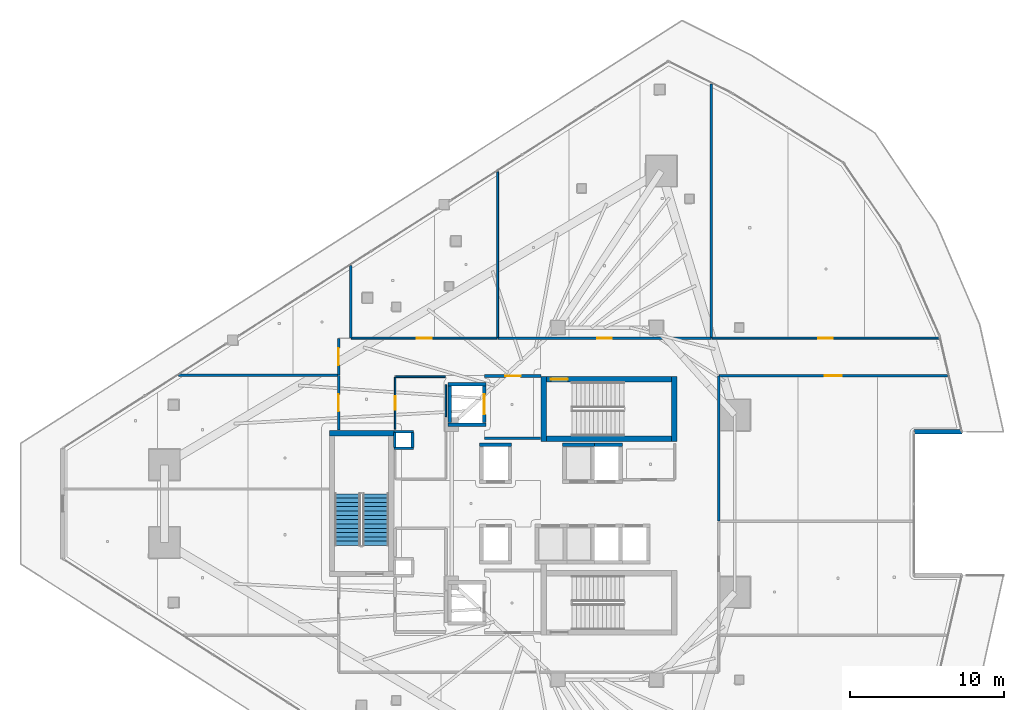
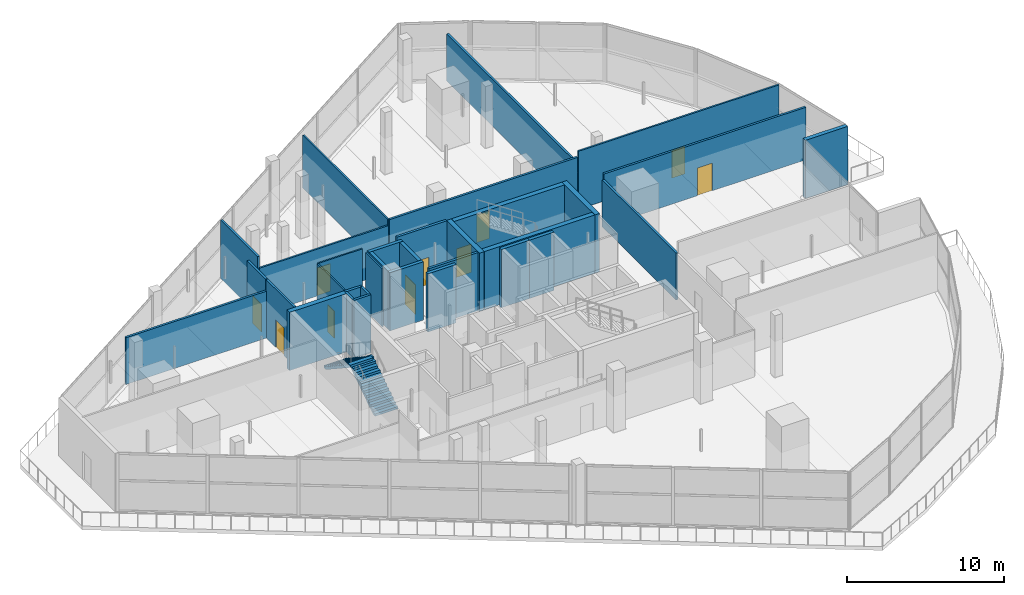
# One storey, part 25 of 36: 33 walls, 10 doors, 2 stair flights, 10 openings, 1 element without a shape of its own.
"""IFC4 building model written with IfcOpenShell, lengths in metres."""

from ifc_helpers import new_model, si_unit, direction, frame, frame_2d, origin, place, context, subcontext, project, spatial, polyline, rectangle, outline, extrude, material, layer, layer_set, type_object, element, fill, aggregate, save


model = new_model("IFC4")

# Units and contexts
model_context = context("Model", 3, precision=1e-05, world=origin(), true_north=direction((0.0, 1.0)))
body_context = subcontext(model_context, "Body", "Model", "MODEL_VIEW")
ifc_project = project(units=[si_unit("LENGTHUNIT", "METRE"), si_unit("AREAUNIT", "SQUARE_METRE"), si_unit("VOLUMEUNIT", "CUBIC_METRE"), si_unit("PLANEANGLEUNIT", "RADIAN"), si_unit("MASSUNIT", "GRAM", prefix="KILO")], contexts=[model_context])

# Site, building, storey
site_placement = place(None, origin())
site = spatial("IfcSite", under=ifc_project, at=site_placement, CompositionType="ELEMENT")
building_placement = place(site_placement, origin())
building = spatial("IfcBuilding", under=site, at=building_placement, Name="Qorvath Tower", CompositionType="ELEMENT")
storey_placement = place(building_placement, frame((0.0, 0.0, 180.0)))
storey = spatial("IfcBuildingStorey", under=building, at=storey_placement, Name="L41", CompositionType="ELEMENT", Elevation=180.0)

# Walls
ifc_material_1 = material(Name="Gypsum shaftliner on steel studs", Category="steel")
ifc_layer_1 = layer(ifc_material_1, 0.179931640625)
ifc_layer_set_1 = layer_set([ifc_layer_1], Name="FW-LOBBY")
wall_type_1 = type_object("IfcWallType", Name="FW-LOBBY", PredefinedType="PARTITIONING", material=ifc_layer_set_1)
for number, where, z_axis, x_axis, name in (
    (1, (-32.989990234375, 3.594970703125, 0.0), (0.0, 0.0, 1.0), (-1.0, 0.0, 0.0), "MEP Riser Shaft Enclosure Wall N-L41-S"),
    (2, (-34.260009765625, 4.675048828125, 0.0), (0.0, 0.0, 1.0), (1.0, 0.0, 0.0), "MEP Riser Shaft Enclosure Wall N-L41-N"),
):
    element("IfcWall", number, at=place(storey_placement, frame(where, z_axis=z_axis, x_axis=x_axis)), inside=storey, type_object=wall_type_1, Name=name, PredefinedType="PARTITIONING", context=body_context, shape_type="SweptSolid", body=[
        extrude(rectangle(XDim=1.27001953125, YDim=0.179931640625, at=frame_2d((0.635009765625, 0.0))), origin(), (0.0, 0.0, 1.0), 4.530029296875),
    ])
for number, where, z_axis, x_axis, name in (
    (3, (-34.205078125, 3.659912109375, 0.0), (0.0, 0.0, 1.0), (0.0, 1.0, 0.0), "MEP Riser Shaft Enclosure Wall N-L41-W"),
    (4, (-33.044921875, 4.610107421875, 0.0), (0.0, 0.0, 1.0), (0.0, -1.0, 0.0), "MEP Riser Shaft Enclosure Wall N-L41-E"),
):
    element("IfcWall", number, at=place(storey_placement, frame(where, z_axis=z_axis, x_axis=x_axis)), inside=storey, type_object=wall_type_1, Name=name, PredefinedType="PARTITIONING", context=body_context, shape_type="SweptSolid", body=[
        extrude(rectangle(XDim=0.9501953125, YDim=0.179931640625, at=frame_2d((0.47509765625, 0.0))), origin(), (0.0, 0.0, 1.0), 4.530029296875),
    ])
wall_1_placement = place(storey_placement, frame((-28.35498046875, 4.25, 0.0), z_axis=(0.0, 0.0, 1.0), x_axis=(1.0, 0.0, 0.0)))
element("IfcWall", 5, at=wall_1_placement, inside=storey, type_object=wall_type_1, Name="Interior Partition IW-T1-L41-001", PredefinedType="PARTITIONING", context=body_context, shape_type="SweptSolid", body=[
    extrude(rectangle(XDim=3.6220703125, YDim=0.179931640625, at=frame_2d((1.81103515625, 0.0))), origin(), (0.0, 0.0, 1.0), 4.530029296875),
])

# Wall, opening, door
wall_2_placement = place(storey_placement, frame((-24.68408203125, 8.300048828125, 0.0), z_axis=(0.0, 0.0, 1.0), x_axis=(-1.0, 0.0, 0.0)))
wall_2 = element("IfcWall", 6, at=wall_2_placement, inside=storey, type_object=wall_type_1, Name="Interior Partition IW-T1-L41-002", PredefinedType="PARTITIONING", context=body_context, shape_type="SweptSolid", body=[
    extrude(rectangle(XDim=3.6708984375, YDim=0.179931640625, at=frame_2d((1.83544921875, 0.0))), origin(), (0.0, 0.0, 1.0), 4.530029296875),
])
opening_1_placement = place(wall_2_placement, frame((1.33544921875, 0.0, 0.0)))
opening_1 = element("IfcOpeningElement", 7, at=opening_1_placement, cuts=wall_2, Name="Opening D-T1-L41-12", PredefinedType="OPENING", context=body_context, shape_type="SweptSolid", body=[
    extrude(rectangle(XDim=1.0, YDim=2.14990234375, at=frame_2d((0.5, 1.074951171875))), frame((0.0, 0.10009765625, 0.0), z_axis=(0.0, -1.0, 0.0), x_axis=(1.0, 0.0, 0.0)), (0.0, 0.0, 1.0), 0.199951171875),
])
ifc_material_2 = material(Name="Painted galvanised hollow metal", Category="steel")
door_type_1 = type_object("IfcDoorType", Name="FD-60", OperationType="NOTDEFINED", PredefinedType="DOOR", material=ifc_material_2)
door_1_placement = place(opening_1_placement, origin())
door_1 = element("IfcDoor", 8, at=door_1_placement, inside=storey, type_object=door_type_1, Name="Lobby Fire Service Elevator North Door D-T1-L41-12", OperationType="SINGLE_SWING_LEFT", OverallHeight=2.14990234375, OverallWidth=1.0, PredefinedType="DOOR", context=body_context, shape_type="SweptSolid", body=[
    extrude(rectangle(XDim=1.0, YDim=2.14990234375, at=frame_2d((0.5, 1.074951171875))), frame((0.0, 0.02490234375, 0.0), z_axis=(0.0, -1.0, 0.0), x_axis=(1.0, 0.0, 0.0)), (0.0, 0.0, 1.0), 0.050048828125),
])
fill(opening_1, door_1)

# Wall
ifc_material_3 = material(Name="Double acoustic gypsum board on steel studs", Category="steel")
ifc_layer_2 = layer(ifc_material_3, 0.159912109375)
ifc_layer_set_2 = layer_set([ifc_layer_2], Name="IW-ACOUSTIC-160")
wall_type_2 = type_object("IfcWallType", Name="IW-ACOUSTIC-160", PredefinedType="PARTITIONING", material=ifc_layer_set_2)
wall_3_placement = place(storey_placement, frame((-48.258544921875, 8.35009765625, 0.0), z_axis=(0.0, 0.0, 1.0), x_axis=(1.0, 0.0, 0.0)))
element("IfcWall", 9, at=wall_3_placement, inside=storey, type_object=wall_type_2, Name="Interior Partition IW-T1-L41-019", PredefinedType="PARTITIONING", context=body_context, shape_type="SweptSolid", body=[
    extrude(rectangle(XDim=10.375732421875, YDim=0.159912109375, at=frame_2d((5.18798828125, 0.0))), origin(), (0.0, 0.0, 1.0), 3.64990234375),
])

# Wall, opening, door
wall_4_placement = place(storey_placement, frame((-37.85791015625, 8.375, 0.0), z_axis=(0.0, 0.0, 1.0), x_axis=(0.0, 1.0, 0.0)))
wall_4 = element("IfcWall", 10, at=wall_4_placement, inside=storey, type_object=wall_type_2, Name="Interior Partition IW-T1-L41-020", PredefinedType="PARTITIONING", context=body_context, shape_type="SweptSolid", body=[
    extrude(rectangle(XDim=2.358154296875, YDim=0.159912109375, at=frame_2d((1.17919921875, 0.0))), origin(), (0.0, 0.0, 1.0), 4.530029296875),
])
opening_2_placement = place(wall_4_placement, frame((0.629150390625, 0.0, 0.0)))
opening_2 = element("IfcOpeningElement", 11, at=opening_2_placement, cuts=wall_4, Name="Opening D-T1-L41-14", PredefinedType="OPENING", context=body_context, shape_type="SweptSolid", body=[
    extrude(rectangle(XDim=1.10009765625, YDim=2.14990234375, at=frame_2d((0.550048828125, 1.074951171875))), frame((0.0, 0.08984375, 0.0), z_axis=(0.0, -1.0, 0.0), x_axis=(1.0, 0.0, 0.0)), (0.0, 0.0, 1.0), 0.179931640625),
])
ifc_material_4 = material(Name="Anodised aluminium acoustic framed glass", Category="aluminium")
door_type_2 = type_object("IfcDoorType", Name="D-03", OperationType="NOTDEFINED", PredefinedType="DOOR", material=ifc_material_4)
door_2_placement = place(opening_2_placement, origin())
door_2 = element("IfcDoor", 12, at=door_2_placement, inside=storey, type_object=door_type_2, Name="L41-01 Sky Client Services Office Door D-T1-L41-14", OperationType="SINGLE_SWING_LEFT", OverallHeight=2.14990234375, OverallWidth=1.10009765625, PredefinedType="DOOR", context=body_context, shape_type="SweptSolid", body=[
    extrude(rectangle(XDim=1.10009765625, YDim=2.14990234375, at=frame_2d((0.550048828125, 1.074951171875))), frame((0.0, 0.02490234375, 0.0), z_axis=(0.0, -1.0, 0.0), x_axis=(1.0, 0.0, 0.0)), (0.0, 0.0, 1.0), 0.050048828125),
])
fill(opening_2, door_2)

# Wall
wall_5_placement = place(storey_placement, frame((-37.0576171875, 10.783203125, 0.0), z_axis=(0.0, 0.0, 1.0), x_axis=(0.0, 1.0, 0.0)))
element("IfcWall", 13, at=wall_5_placement, inside=storey, type_object=wall_type_2, Name="Interior Partition IW-T1-L41-021", PredefinedType="PARTITIONING", context=body_context, shape_type="SweptSolid", body=[
    extrude(rectangle(XDim=4.69677734375, YDim=0.159912109375, at=frame_2d((2.348388671875, 0.0))), origin(), (0.0, 0.0, 1.0), 4.530029296875),
])

# Wall, opening, door
wall_6_placement = place(storey_placement, frame((-27.4873046875, 10.758056640625, 0.0), z_axis=(0.0, 0.0, 1.0), x_axis=(1.0, 0.0, 0.0)))
wall_6 = element("IfcWall", 14, at=wall_6_placement, inside=storey, type_object=wall_type_2, Name="Interior Partition IW-T1-L41-024", PredefinedType="PARTITIONING", context=body_context, shape_type="SweptSolid", body=[
    extrude(rectangle(XDim=13.839599609375, YDim=0.159912109375, at=frame_2d((6.919921875, 0.0))), origin(), (0.0, 0.0, 1.0), 4.09375),
])
opening_3_placement = place(wall_6_placement, frame((6.44482421875, 0.0, 0.0)))
opening_3 = element("IfcOpeningElement", 15, at=opening_3_placement, cuts=wall_6, Name="Opening D-T1-L41-05", PredefinedType="OPENING", context=body_context, shape_type="SweptSolid", body=[
    extrude(rectangle(XDim=0.949951171875, YDim=2.14990234375, at=frame_2d((0.47509765625, 1.074951171875))), frame((0.0, 0.08984375, 0.0), z_axis=(0.0, -1.0, 0.0), x_axis=(1.0, 0.0, 0.0)), (0.0, 0.0, 1.0), 0.179931640625),
])
ifc_material_5 = material(Name="Solid-core American white oak veneer", Category="wood")
door_type_3 = type_object("IfcDoorType", Name="D-01", OperationType="NOTDEFINED", PredefinedType="DOOR", material=ifc_material_5)
door_3_placement = place(opening_3_placement, origin())
door_3 = element("IfcDoor", 16, at=door_3_placement, inside=storey, type_object=door_type_3, Name="L41-03 Sky Staff Wellness Studio Door D-T1-L41-05", OperationType="SINGLE_SWING_RIGHT", OverallHeight=2.14990234375, OverallWidth=0.949951171875, PredefinedType="DOOR", context=body_context, shape_type="SweptSolid", body=[
    extrude(rectangle(XDim=0.949951171875, YDim=2.14990234375, at=frame_2d((0.47509765625, 1.074951171875))), frame((0.0, 0.02490234375, 0.0), z_axis=(0.0, -1.0, 0.0), x_axis=(1.0, 0.0, 0.0)), (0.0, 0.0, 1.0), 0.050048828125),
])
fill(opening_3, door_3)

# Wall
wall_7_placement = place(storey_placement, frame((-13.622802734375, 10.783203125, 0.0), z_axis=(0.0, 0.0, 1.0), x_axis=(0.0, 1.0, 0.0)))
element("IfcWall", 17, at=wall_7_placement, inside=storey, type_object=wall_type_2, Name="Interior Partition IW-T1-L41-025", PredefinedType="PARTITIONING", context=body_context, shape_type="SweptSolid", body=[
    extrude(rectangle(XDim=16.4931640625, YDim=0.159912109375, at=frame_2d((8.24658203125, 0.0))), origin(), (0.0, 0.0, 1.0), 3.64990234375),
])

# Wall, opening, door
wall_8_placement = place(storey_placement, frame((1.739013671875, 8.31201171875, 0.0), z_axis=(0.0, 0.0, 1.0), x_axis=(-1.0, 0.0, 0.0)))
wall_8 = element("IfcWall", 18, at=wall_8_placement, inside=storey, type_object=wall_type_2, Name="Interior Partition IW-T1-L41-034", PredefinedType="PARTITIONING", context=body_context, shape_type="SweptSolid", body=[
    extrude(rectangle(XDim=14.856201171875, YDim=0.159912109375, at=frame_2d((7.42822265625, 0.0))), origin(), (0.0, 0.0, 1.0), 4.09375),
])
opening_4_placement = place(wall_8_placement, frame((6.878173828125, 0.0, 0.0)))
opening_4 = element("IfcOpeningElement", 19, at=opening_4_placement, cuts=wall_8, Name="Opening D-T1-L41-09", PredefinedType="OPENING", context=body_context, shape_type="SweptSolid", body=[
    extrude(rectangle(XDim=1.10009765625, YDim=2.14990234375, at=frame_2d((0.550048828125, 1.074951171875))), frame((0.0, 0.08984375, 0.0), z_axis=(0.0, -1.0, 0.0), x_axis=(1.0, 0.0, 0.0)), (0.0, 0.0, 1.0), 0.179931640625),
])
door_4_placement = place(opening_4_placement, origin())
door_4 = element("IfcDoor", 20, at=door_4_placement, inside=storey, type_object=door_type_2, Name="L41-07 Sky Digital Visualization Suite Door D-T1-L41-09", OperationType="SINGLE_SWING_RIGHT", OverallHeight=2.14990234375, OverallWidth=1.10009765625, PredefinedType="DOOR", context=body_context, shape_type="SweptSolid", body=[
    extrude(rectangle(XDim=1.10009765625, YDim=2.14990234375, at=frame_2d((0.550048828125, 1.074951171875))), frame((0.0, 0.02490234375, 0.0), z_axis=(0.0, -1.0, 0.0), x_axis=(1.0, 0.0, 0.0)), (0.0, 0.0, 1.0), 0.050048828125),
])
fill(opening_4, door_4)

# Wall
wall_9_placement = place(storey_placement, frame((-13.14208984375, 8.287109375, 0.0), z_axis=(0.0, 0.0, 1.0), x_axis=(0.0, -1.0, 0.0)))
element("IfcWall", 21, at=wall_9_placement, inside=storey, type_object=wall_type_2, Name="Interior Partition IW-T1-L41-035", PredefinedType="PARTITIONING", context=body_context, shape_type="SweptSolid", body=[
    extrude(rectangle(XDim=9.407470703125, YDim=0.159912109375, at=frame_2d((4.70361328125, 0.0))), origin(), (0.0, 0.0, 1.0), 3.64990234375),
])

# Wall, opening, door
wall_10_placement = place(storey_placement, frame((-37.85791015625, 4.783203125, 0.0), z_axis=(0.0, 0.0, 1.0), x_axis=(0.0, 1.0, 0.0)))
wall_10 = element("IfcWall", 22, at=wall_10_placement, inside=storey, type_object=wall_type_2, Name="Interior Partition IW-T1-L41-038", PredefinedType="PARTITIONING", context=body_context, shape_type="SweptSolid", body=[
    extrude(rectangle(XDim=3.53369140625, YDim=0.159912109375, at=frame_2d((1.766845703125, 0.0))), origin(), (0.0, 0.0, 1.0), 4.530029296875),
])
opening_5_placement = place(wall_10_placement, frame((1.216796875, 0.0, 0.0)))
opening_5 = element("IfcOpeningElement", 23, at=opening_5_placement, cuts=wall_10, Name="Opening D-T1-L41-11", PredefinedType="OPENING", context=body_context, shape_type="SweptSolid", body=[
    extrude(rectangle(XDim=1.10009765625, YDim=2.14990234375, at=frame_2d((0.550048828125, 1.074951171875))), frame((0.0, 0.08984375, 0.0), z_axis=(0.0, -1.0, 0.0), x_axis=(1.0, 0.0, 0.0)), (0.0, 0.0, 1.0), 0.179931640625),
])
door_5_placement = place(opening_5_placement, origin())
door_5 = element("IfcDoor", 24, at=door_5_placement, inside=storey, type_object=door_type_2, Name="L41-09 Sky Team Project Office Door D-T1-L41-11", OperationType="SINGLE_SWING_RIGHT", OverallHeight=2.14990234375, OverallWidth=1.10009765625, PredefinedType="DOOR", context=body_context, shape_type="SweptSolid", body=[
    extrude(rectangle(XDim=1.10009765625, YDim=2.14990234375, at=frame_2d((0.550048828125, 1.074951171875))), frame((0.0, 0.02490234375, 0.0), z_axis=(0.0, -1.0, 0.0), x_axis=(1.0, 0.0, 0.0)), (0.0, 0.0, 1.0), 0.050048828125),
])
fill(opening_5, door_5)

ifc_material_6 = material(Name="Gypsum board on metal studs with mineral wool", Category="gypsum")
ifc_layer_3 = layer(ifc_material_6, 0.125)
ifc_layer_set_3 = layer_set([ifc_layer_3], Name="IW-PART-125")
wall_type_3 = type_object("IfcWallType", Name="IW-PART-125", PredefinedType="PARTITIONING", material=ifc_layer_set_3)
wall_11_placement = place(storey_placement, frame((-37.024658203125, 10.758056640625, 0.0), z_axis=(0.0, 0.0, 1.0), x_axis=(1.0, 0.0, 0.0)))
wall_11 = element("IfcWall", 25, at=wall_11_placement, inside=storey, type_object=wall_type_3, Name="Interior Partition IW-T1-L41-022", PredefinedType="PARTITIONING", context=body_context, shape_type="SweptSolid", body=[
    extrude(rectangle(XDim=9.479248046875, YDim=0.125, at=frame_2d((4.73974609375, 0.0))), origin(), (0.0, 0.0, 1.0), 3.64990234375),
])
opening_6_placement = place(wall_11_placement, frame((4.2646484375, 0.0, 0.0)))
opening_6 = element("IfcOpeningElement", 26, at=opening_6_placement, cuts=wall_11, Name="Opening D-T1-L41-04", PredefinedType="OPENING", context=body_context, shape_type="SweptSolid", body=[
    extrude(rectangle(XDim=0.949951171875, YDim=2.14990234375, at=frame_2d((0.47509765625, 1.074951171875))), frame((0.0, 0.072509765625, 0.0), z_axis=(0.0, -1.0, 0.0), x_axis=(1.0, 0.0, 0.0)), (0.0, 0.0, 1.0), 0.14501953125),
])
door_6_placement = place(opening_6_placement, origin())
door_6 = element("IfcDoor", 27, at=door_6_placement, inside=storey, type_object=door_type_3, Name="L41-02 Sky Project Collaboration Workspace Door D-T1-L41-04", OperationType="SINGLE_SWING_LEFT", OverallHeight=2.14990234375, OverallWidth=0.949951171875, PredefinedType="DOOR", context=body_context, shape_type="SweptSolid", body=[
    extrude(rectangle(XDim=0.949951171875, YDim=2.14990234375, at=frame_2d((0.47509765625, 1.074951171875))), frame((0.0, 0.02490234375, 0.0), z_axis=(0.0, -1.0, 0.0), x_axis=(1.0, 0.0, 0.0)), (0.0, 0.0, 1.0), 0.050048828125),
])
fill(opening_6, door_6)

# Wall
wall_12_placement = place(storey_placement, frame((-27.520263671875, 10.783203125, 0.0), z_axis=(0.0, 0.0, 1.0), x_axis=(0.0, 1.0, 0.0)))
element("IfcWall", 28, at=wall_12_placement, inside=storey, type_object=wall_type_3, Name="Interior Partition IW-T1-L41-023", PredefinedType="PARTITIONING", context=body_context, shape_type="SweptSolid", body=[
    extrude(rectangle(XDim=10.79248046875, YDim=0.125, at=frame_2d((5.396240234375, 0.0))), origin(), (0.0, 0.0, 1.0), 4.09375),
])

# Wall, opening, door
wall_13_placement = place(storey_placement, frame((-13.589599609375, 10.758056640625, 0.0), z_axis=(0.0, 0.0, 1.0), x_axis=(1.0, 0.0, 0.0)))
wall_13 = element("IfcWall", 29, at=wall_13_placement, inside=storey, type_object=wall_type_3, Name="Interior Partition IW-T1-L41-026", PredefinedType="PARTITIONING", context=body_context, shape_type="SweptSolid", body=[
    extrude(rectangle(XDim=14.761474609375, YDim=0.125, at=frame_2d((7.380859375, 0.0))), origin(), (0.0, 0.0, 1.0), 4.530029296875),
])
opening_7_placement = place(wall_13_placement, frame((6.90576171875, 0.0, 0.0)))
opening_7 = element("IfcOpeningElement", 30, at=opening_7_placement, cuts=wall_13, Name="Opening D-T1-L41-06", PredefinedType="OPENING", context=body_context, shape_type="SweptSolid", body=[
    extrude(rectangle(XDim=0.949951171875, YDim=2.14990234375, at=frame_2d((0.47509765625, 1.074951171875))), frame((0.0, 0.072509765625, 0.0), z_axis=(0.0, -1.0, 0.0), x_axis=(1.0, 0.0, 0.0)), (0.0, 0.0, 1.0), 0.14501953125),
])
door_7_placement = place(opening_7_placement, origin())
door_7 = element("IfcDoor", 31, at=door_7_placement, inside=storey, type_object=door_type_3, Name="L41-04 Sky Design Pin-Up Atelier Door D-T1-L41-06", OperationType="SINGLE_SWING_LEFT", OverallHeight=2.14990234375, OverallWidth=0.949951171875, PredefinedType="DOOR", context=body_context, shape_type="SweptSolid", body=[
    extrude(rectangle(XDim=0.949951171875, YDim=2.14990234375, at=frame_2d((0.47509765625, 1.074951171875))), frame((0.0, 0.02490234375, 0.0), z_axis=(0.0, -1.0, 0.0), x_axis=(1.0, 0.0, 0.0)), (0.0, 0.0, 1.0), 0.050048828125),
])
fill(opening_7, door_7)

# Walls
ifc_material_7 = material(Name="Moisture-resistant cement board on metal studs", Category="gypsum")
ifc_layer_4 = layer(ifc_material_7, 0.110107421875)
ifc_layer_set_4 = layer_set([ifc_layer_4], Name="IW-WC-110")
wall_type_4 = type_object("IfcWallType", Name="IW-WC-110", PredefinedType="PARTITIONING", material=ifc_layer_set_4)
wall_14_placement = place(storey_placement, frame((-30.8798828125, 5.6650390625, 0.0), z_axis=(0.0, 0.0, 1.0), x_axis=(0.0, 1.0, 0.0)))
element("IfcWall", 32, at=wall_14_placement, inside=storey, type_object=wall_type_4, Name="Interior Partition IW-T1-L41-007", PredefinedType="PARTITIONING", context=body_context, shape_type="SweptSolid", body=[
    extrude(rectangle(XDim=2.077880859375, YDim=0.110107421875, at=frame_2d((1.0390625, 0.0))), origin(), (0.0, 0.0, 1.0), 4.530029296875),
])
wall_15_placement = place(storey_placement, frame((-30.90478515625, 8.25, 0.0), z_axis=(0.0, 0.0, 1.0), x_axis=(-1.0, 0.0, 0.0)))
element("IfcWall", 33, at=wall_15_placement, inside=storey, type_object=wall_type_4, Name="Interior Partition IW-T1-L41-008", PredefinedType="PARTITIONING", context=body_context, shape_type="SweptSolid", body=[
    extrude(rectangle(XDim=3.25, YDim=0.110107421875, at=frame_2d((1.625, 0.0))), origin(), (0.0, 0.0, 1.0), 4.530029296875),
])

# Wall, opening, door
wall_16_placement = place(storey_placement, frame((-34.179931640625, 8.22509765625, 0.0), z_axis=(0.0, 0.0, 1.0), x_axis=(0.0, -1.0, 0.0)))
wall_16 = element("IfcWall", 34, at=wall_16_placement, inside=storey, type_object=wall_type_4, Name="Interior Partition IW-T1-L41-009", PredefinedType="PARTITIONING", context=body_context, shape_type="SweptSolid", body=[
    extrude(rectangle(XDim=3.385009765625, YDim=0.110107421875, at=frame_2d((1.6923828125, 0.0))), origin(), (0.0, 0.0, 1.0), 4.530029296875),
])
opening_8_placement = place(wall_16_placement, frame((1.25244140625, 0.0, 0.0)))
opening_8 = element("IfcOpeningElement", 35, at=opening_8_placement, cuts=wall_16, Name="Opening D-T1-L41-01", PredefinedType="OPENING", context=body_context, shape_type="SweptSolid", body=[
    extrude(rectangle(XDim=0.8798828125, YDim=2.10009765625, at=frame_2d((0.43994140625, 1.050048828125))), frame((0.0, 0.06494140625, 0.0), z_axis=(0.0, -1.0, 0.0), x_axis=(1.0, 0.0, 0.0)), (0.0, 0.0, 1.0), 0.130126953125),
])
ifc_material_8 = material(Name="Solid-core oak with acoustic drop seal", Category="wood")
door_type_4 = type_object("IfcDoorType", Name="D-02", OperationType="NOTDEFINED", PredefinedType="DOOR", material=ifc_material_8)
door_8_placement = place(opening_8_placement, origin())
door_8 = element("IfcDoor", 36, at=door_8_placement, inside=storey, type_object=door_type_4, Name="Accessible WC North L41 Door D-T1-L41-01", OperationType="SINGLE_SWING_RIGHT", OverallHeight=2.10009765625, OverallWidth=0.8798828125, PredefinedType="DOOR", context=body_context, shape_type="SweptSolid", body=[
    extrude(rectangle(XDim=0.8798828125, YDim=2.10009765625, at=frame_2d((0.43994140625, 1.050048828125))), frame((0.0, 0.02490234375, 0.0), z_axis=(0.0, -1.0, 0.0), x_axis=(1.0, 0.0, 0.0)), (0.0, 0.0, 1.0), 0.050048828125),
])
fill(opening_8, door_8)

# Walls
ifc_material_9 = material(Name="Concrete C60/75", Category="concrete")
ifc_layer_5 = layer(ifc_material_9, 0.260009765625)
ifc_layer_set_5 = layer_set([ifc_layer_5], Name="SW-SHAFT")
wall_type_5 = type_object("IfcWallType", Name="SW-SHAFT", PredefinedType="SHEAR", material=ifc_layer_set_5)
for number, where, z_axis, x_axis, name in (
    (37, (-28.260009765625, 5.1298828125, 0.0), (0.0, 0.0, 1.0), (-1.0, 0.0, 0.0), "Hoistway Wall FSAE-1 L41 S"),
    (38, (-30.739990234375, 7.77001953125, 0.0), (0.0, 0.0, 1.0), (1.0, 0.0, 0.0), "Hoistway Wall FSAE-1 L41 N"),
):
    element("IfcWall", number, at=place(storey_placement, frame(where, z_axis=z_axis, x_axis=x_axis)), inside=storey, type_object=wall_type_5, Name=name, PredefinedType="SHEAR", context=body_context, shape_type="SweptSolid", body=[
        extrude(rectangle(XDim=2.47998046875, YDim=0.239990234375, at=frame_2d((1.239990234375, 0.0))), origin(), (0.0, 0.0, 1.0), 4.530029296875),
    ])
wall_17_placement = place(storey_placement, frame((-30.6201171875, 5.261962890625, 0.0), z_axis=(0.0, 0.0, 1.0), x_axis=(0.0, 1.0, 0.0)))
element("IfcWall", 39, at=wall_17_placement, inside=storey, type_object=wall_type_5, Name="Hoistway Wall FSAE-1 L41 W", PredefinedType="SHEAR", context=body_context, shape_type="SweptSolid", body=[
    extrude(rectangle(XDim=2.3759765625, YDim=0.239990234375, at=frame_2d((1.18798828125, 0.0))), origin(), (0.0, 0.0, 1.0), 4.530029296875),
])

# Wall, opening, door
wall_18_placement = place(storey_placement, frame((-28.3798828125, 7.637939453125, 0.0), z_axis=(0.0, 0.0, 1.0), x_axis=(0.0, -1.0, 0.0)))
wall_18 = element("IfcWall", 40, at=wall_18_placement, inside=storey, type_object=wall_type_5, Name="Hoistway Wall FSAE-1 L41 E", PredefinedType="SHEAR", context=body_context, shape_type="SweptSolid", body=[
    extrude(rectangle(XDim=2.3759765625, YDim=0.239990234375, at=frame_2d((1.18798828125, 0.0))), origin(), (0.0, 0.0, 1.0), 4.530029296875),
])
opening_9_placement = place(wall_18_placement, frame((0.537841796875, 0.0, 0.0)))
opening_9 = element("IfcOpeningElement", 41, at=opening_9_placement, cuts=wall_18, Name="Opening LD-FSAE-1-L41", PredefinedType="OPENING", context=body_context, shape_type="SweptSolid", body=[
    extrude(rectangle(XDim=1.300048828125, YDim=2.300048828125, at=frame_2d((0.64990234375, 1.14990234375))), frame((0.0, 0.1298828125, 0.0), z_axis=(0.0, -1.0, 0.0), x_axis=(1.0, 0.0, 0.0)), (0.0, 0.0, 1.0), 0.260009765625),
])
ifc_material_10 = material(Name="Brushed stainless steel AISI 316", Category="steel")
door_type_5 = type_object("IfcDoorType", Name="LD-02", OperationType="NOTDEFINED", PredefinedType="DOOR", material=ifc_material_10)
door_9_placement = place(opening_9_placement, origin())
door_9 = element("IfcDoor", 42, at=door_9_placement, inside=storey, type_object=door_type_5, Name="Elevator Landing Sliding Door LD-FSAE-1-L41", OperationType="DOUBLE_DOOR_SLIDING", OverallHeight=2.300048828125, OverallWidth=1.300048828125, PredefinedType="DOOR", context=body_context, shape_type="SweptSolid", body=[
    extrude(rectangle(XDim=1.300048828125, YDim=2.300048828125, at=frame_2d((0.64990234375, 1.14990234375))), frame((0.0, 0.02490234375, 0.0), z_axis=(0.0, -1.0, 0.0), x_axis=(1.0, 0.0, 0.0)), (0.0, 0.0, 1.0), 0.050048828125),
])
fill(opening_9, door_9)

# Walls
wall_19_placement = place(storey_placement, frame((-28.68994140625, 3.820068359375, 0.0), z_axis=(0.0, 0.0, 1.0), x_axis=(1.0, 0.0, 0.0)))
element("IfcWall", 43, at=wall_19_placement, inside=storey, type_object=wall_type_5, Name="Hoistway Wall PS-1 L41 N", PredefinedType="SHEAR", context=body_context, shape_type="SweptSolid", body=[
    extrude(rectangle(XDim=2.079833984375, YDim=0.239990234375, at=frame_2d((1.0400390625, 0.0))), origin(), (0.0, 0.0, 1.0), 4.530029296875),
])
wall_20_placement = place(storey_placement, frame((-23.2900390625, 3.820068359375, 0.0), z_axis=(0.0, 0.0, 1.0), x_axis=(1.0, 0.0, 0.0)))
element("IfcWall", 44, at=wall_20_placement, inside=storey, type_object=wall_type_5, Name="Hoistway Wall PU-1 L41 N", PredefinedType="SHEAR", context=body_context, shape_type="SweptSolid", body=[
    extrude(rectangle(XDim=2.080078125, YDim=0.239990234375, at=frame_2d((1.0400390625, 0.0))), origin(), (0.0, 0.0, 1.0), 4.530029296875),
])
wall_21_placement = place(storey_placement, frame((-21.2099609375, 3.820068359375, 0.0), z_axis=(0.0, 0.0, 1.0), x_axis=(1.0, 0.0, 0.0)))
element("IfcWall", 45, at=wall_21_placement, inside=storey, type_object=wall_type_5, Name="Hoistway Wall PM-1 L41 N", PredefinedType="SHEAR", context=body_context, shape_type="SweptSolid", body=[
    extrude(rectangle(XDim=1.800048828125, YDim=0.239990234375, at=frame_2d((0.89990234375, 0.0))), origin(), (0.0, 0.0, 1.0), 4.530029296875),
])
ifc_material_11 = material(Name="Concrete C60/75", Category="concrete")
ifc_layer_6 = layer(ifc_material_11, 0.35009765625)
ifc_layer_set_6 = layer_set([ifc_layer_6], Name="SW-STAIR")
wall_type_6 = type_object("IfcWallType", Name="SW-STAIR", PredefinedType="SHEAR", material=ifc_layer_set_6)
for number, where, z_axis, x_axis, name in (
    (46, (-24.52490234375, 8.260009765625, 0.0), (0.0, 0.0, 1.0), (0.0, -1.0, 0.0), "Stair TS1 Shear Wall L41 NEAR"),
    (47, (-16.02490234375, 4.050048828125, 0.0), (0.0, 0.0, 1.0), (0.0, 1.0, 0.0), "Stair TS1 Shear Wall L41 FAR"),
):
    element("IfcWall", number, at=place(storey_placement, frame(where, z_axis=z_axis, x_axis=x_axis)), inside=storey, type_object=wall_type_6, Name=name, PredefinedType="SHEAR", context=body_context, shape_type="SweptSolid", body=[
        extrude(rectangle(XDim=4.2099609375, YDim=0.35009765625, at=frame_2d((2.10498046875, 0.0))), origin(), (0.0, 0.0, 1.0), 4.530029296875),
    ])
wall_22_placement = place(storey_placement, frame((-24.3349609375, 4.22509765625, 0.0), z_axis=(0.0, 0.0, 1.0), x_axis=(1.0, 0.0, 0.0)))
element("IfcWall", 48, at=wall_22_placement, inside=storey, type_object=wall_type_6, Name="Stair TS1 Shear Wall L41 LEFT", PredefinedType="SHEAR", context=body_context, shape_type="SweptSolid", body=[
    extrude(rectangle(XDim=8.119873046875, YDim=0.35009765625, at=frame_2d((4.06005859375, 0.0))), origin(), (0.0, 0.0, 1.0), 4.530029296875),
])

# Wall, opening, door
wall_23_placement = place(storey_placement, frame((-16.215087890625, 8.0849609375, 0.0), z_axis=(0.0, 0.0, 1.0), x_axis=(-1.0, 0.0, 0.0)))
wall_23 = element("IfcWall", 49, at=wall_23_placement, inside=storey, type_object=wall_type_6, Name="Stair TS1 Shear Wall L41 RIGHT", PredefinedType="SHEAR", context=body_context, shape_type="SweptSolid", body=[
    extrude(rectangle(XDim=8.119873046875, YDim=0.35009765625, at=frame_2d((4.06005859375, 0.0))), origin(), (0.0, 0.0, 1.0), 4.530029296875),
])
opening_10_placement = place(wall_23_placement, frame((6.739990234375, 0.0, 0.0)))
opening_10 = element("IfcOpeningElement", 50, at=opening_10_placement, cuts=wall_23, Name="Opening D-TS1-L41", PredefinedType="OPENING", context=body_context, shape_type="SweptSolid", body=[
    extrude(rectangle(XDim=1.10009765625, YDim=2.199951171875, at=frame_2d((0.550048828125, 1.10009765625))), frame((0.0, 0.18505859375, 0.0), z_axis=(0.0, -1.0, 0.0), x_axis=(1.0, 0.0, 0.0)), (0.0, 0.0, 1.0), 0.3701171875),
])
ifc_material_12 = material(Name="Painted galvanised hollow metal", Category="steel")
door_type_6 = type_object("IfcDoorType", Name="FD-90", OperationType="NOTDEFINED", PredefinedType="DOOR", material=ifc_material_12)
door_10_placement = place(opening_10_placement, origin())
door_10 = element("IfcDoor", 51, at=door_10_placement, inside=storey, type_object=door_type_6, Name="Stair TS1 Fire Door L41", OperationType="SINGLE_SWING_RIGHT", OverallHeight=2.199951171875, OverallWidth=1.10009765625, PredefinedType="DOOR", context=body_context, shape_type="SweptSolid", body=[
    extrude(rectangle(XDim=1.10009765625, YDim=2.199951171875, at=frame_2d((0.550048828125, 1.10009765625))), frame((0.0, 0.02490234375, 0.0), z_axis=(0.0, -1.0, 0.0), x_axis=(1.0, 0.0, 0.0)), (0.0, 0.0, 1.0), 0.050048828125),
])
fill(opening_10, door_10)

# Walls
wall_24_placement = place(storey_placement, frame((-34.25, 4.574951171875, 0.0), z_axis=(0.0, 0.0, 1.0), x_axis=(-1.0, 0.0, 0.0)))
element("IfcWall", 52, at=wall_24_placement, inside=storey, type_object=wall_type_6, Name="Stair TS3 Shear Wall L41 FAR", PredefinedType="SHEAR", context=body_context, shape_type="SweptSolid", body=[
    extrude(rectangle(XDim=4.2099609375, YDim=0.35009765625, at=frame_2d((2.10498046875, 0.0))), origin(), (0.0, 0.0, 1.0), 4.530029296875),
])
ifc_material_13 = material(Name="Precast concrete C45/55", Category="concrete")
ifc_layer_7 = layer(ifc_material_13, 0.300048828125)
ifc_layer_set_7 = layer_set([ifc_layer_7], Name="WL-EW-LOG-300")
wall_type_7 = type_object("IfcWallType", Name="WL-EW-LOG-300", PredefinedType="SOLIDWALL", material=ifc_layer_set_7)
wall_25_placement = place(storey_placement, frame((-0.445556640625, 4.66552734375, 0.0), z_axis=(0.0, 0.0, 1.0), x_axis=(1.0, 0.0, 0.0)))
element("IfcWall", 53, at=wall_25_placement, inside=storey, type_object=wall_type_7, Name="Tower Precast Loggia Wall L41-10.1", PredefinedType="SOLIDWALL", context=body_context, shape_type="SweptSolid", body=[
    extrude(rectangle(XDim=3.1103515625, YDim=0.300048828125, at=frame_2d((1.55517578125, 0.0))), origin(), (0.0, 0.0, 1.0), 4.530029296875),
])

# Stair, stair flights
ifc_material_14 = material(Name="Concrete C50/60", Category="concrete")
stair_type = type_object("IfcStairType", Name="ST-H480", PredefinedType="HALF_TURN_STAIR", material=ifc_material_14)
stair_placement = place(storey_placement, origin())
stair = element("IfcStair", 54, at=stair_placement, inside=storey, type_object=stair_type, Name="L41 Tower Exit Stair 3", PredefinedType="HALF_TURN_STAIR")
ifc_material_15 = material(Name="Concrete C50/60", Category="concrete")
ifc_layer_8 = layer(ifc_material_15, 0.14990234375)
ifc_layer_set_8 = layer_set([ifc_layer_8], Name="SF-H480")
stair_flight_type = type_object("IfcStairFlightType", Name="SF-H480", PredefinedType="STRAIGHT", material=ifc_layer_set_8)
stair_flight_1_placement = place(storey_placement, frame((-35.43994140625, -2.719970703125, 0.0), z_axis=(0.0, 0.0, 1.0), x_axis=(0.0, 1.0, 0.0)))
stair_flight_1 = element("IfcStairFlight", 55, at=stair_flight_1_placement, type_object=stair_flight_type, Name="TS3 flight 1", NumberOfRisers=13, NumberOfTreads=12, PredefinedType="STRAIGHT", RiserHeight=0.184615385, TreadLength=0.28, context=body_context, shape_type="SweptSolid", body=[
    extrude(outline(polyline([(0.0, 0.0), (0.0, 0.1845703125), (0.280029296875, 0.1845703125), (0.280029296875, 0.369140625), (0.56005859375, 0.369140625), (0.56005859375, 0.553955078125), (0.840087890625, 0.553955078125), (0.840087890625, 0.738525390625), (1.1201171875, 0.738525390625), (1.1201171875, 0.923095703125), (1.39990234375, 0.923095703125), (1.39990234375, 1.107666015625), (1.679931640625, 1.107666015625), (1.679931640625, 1.292236328125), (1.9599609375, 1.292236328125), (1.9599609375, 1.476806640625), (2.239990234375, 1.476806640625), (2.239990234375, 1.66162109375), (2.52001953125, 1.66162109375), (2.52001953125, 1.84619140625), (2.800048828125, 1.84619140625), (2.800048828125, 2.03076171875), (3.080078125, 2.03076171875), (3.080078125, 2.21533203125), (3.360107421875, 2.21533203125), (3.360107421875, 2.39990234375), (3.360107421875, 2.035888671875), (0.272216796875, 0.0), (0.0, 0.0)])), frame((0.0, 0.83984375, 0.0), z_axis=(0.0, -1.0, 0.0), x_axis=(1.0, 0.0, 0.0)), (0.0, 0.0, 1.0), 1.679931640625),
])
stair_flight_2_placement = place(storey_placement, frame((-37.27001953125, 0.639892578125, 2.39990234375), z_axis=(0.0, 0.0, 1.0), x_axis=(0.0, -1.0, 0.0)))
stair_flight_2 = element("IfcStairFlight", 56, at=stair_flight_2_placement, type_object=stair_flight_type, Name="TS3 flight 2", NumberOfRisers=13, NumberOfTreads=12, PredefinedType="STRAIGHT", RiserHeight=0.184615385, TreadLength=0.28, context=body_context, shape_type="SweptSolid", body=[
    extrude(outline(polyline([(0.0, 0.0), (0.0, 0.1845703125), (0.280029296875, 0.1845703125), (0.280029296875, 0.369140625), (0.56005859375, 0.369140625), (0.56005859375, 0.553955078125), (0.840087890625, 0.553955078125), (0.840087890625, 0.738525390625), (1.1201171875, 0.738525390625), (1.1201171875, 0.923095703125), (1.39990234375, 0.923095703125), (1.39990234375, 1.107666015625), (1.679931640625, 1.107666015625), (1.679931640625, 1.292236328125), (1.9599609375, 1.292236328125), (1.9599609375, 1.476806640625), (2.239990234375, 1.476806640625), (2.239990234375, 1.66162109375), (2.52001953125, 1.66162109375), (2.52001953125, 1.84619140625), (2.800048828125, 1.84619140625), (2.800048828125, 2.03076171875), (3.080078125, 2.03076171875), (3.080078125, 2.21533203125), (3.360107421875, 2.21533203125), (3.360107421875, 2.39990234375), (3.360107421875, 2.035888671875), (0.272216796875, 0.0), (0.0, 0.0)])), frame((0.0, 0.83984375, 0.0), z_axis=(0.0, -1.0, 0.0), x_axis=(1.0, 0.0, 0.0)), (0.0, 0.0, 1.0), 1.679931640625),
])
aggregate(stair, [stair_flight_1, stair_flight_2])

save(model, "model.ifc")
